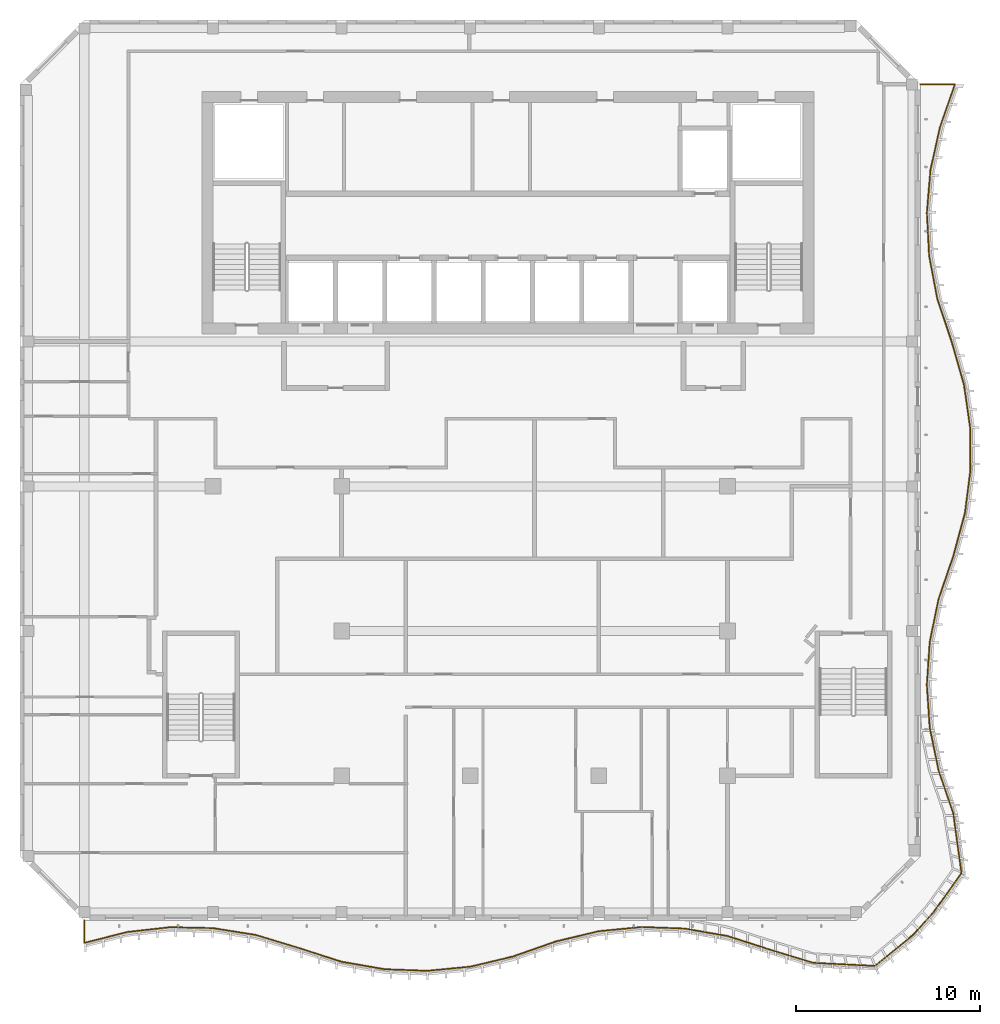
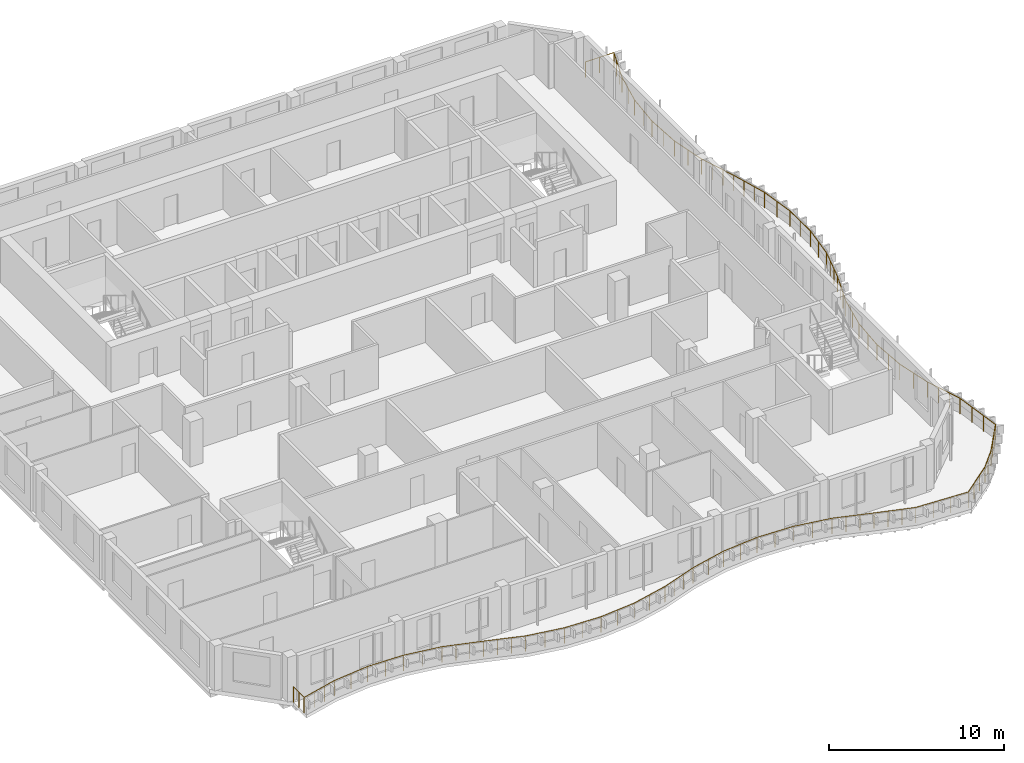
# One storey, part 13 of 17: 1 railing.
"""IFC4 building model written with IfcOpenShell, lengths in metres."""

from ifc_helpers import new_model, si_unit, direction, frame, origin, origin_2d, place, context, subcontext, project, spatial, circle, extrude, material, type_object, element, save


model = new_model("IFC4")

# Units and contexts
model_context = context("Model", 3, precision=1e-05, world=origin(), true_north=direction((0.0, 1.0)))
body_context = subcontext(model_context, "Body", "Model", "MODEL_VIEW")
ifc_project = project(units=[si_unit("LENGTHUNIT", "METRE"), si_unit("AREAUNIT", "SQUARE_METRE"), si_unit("VOLUMEUNIT", "CUBIC_METRE"), si_unit("PLANEANGLEUNIT", "RADIAN"), si_unit("MASSUNIT", "GRAM", prefix="KILO")], contexts=[model_context])

# Site, building, storey
site_placement = place(None, origin())
site = spatial("IfcSite", under=ifc_project, at=site_placement, CompositionType="ELEMENT")
building_placement = place(site_placement, origin())
building = spatial("IfcBuilding", under=site, at=building_placement, Name="Kilnfold Tower and Market Hall", CompositionType="ELEMENT")
storey_placement = place(building_placement, frame((0.0, 0.0, 308.60009765625)))
storey = spatial("IfcBuildingStorey", under=building, at=storey_placement, Name="L77", CompositionType="ELEMENT", Elevation=308.60009765625)

# Railing
ifc_material = material(Name="Stainless steel and laminated glass", Category="steel")
railing_type = type_object("IfcRailingType", Name="GUARD 1100", PredefinedType="GUARDRAIL", material=ifc_material)
railing_placement = place(storey_placement, frame((-22.0, -23.5, 0.0)))
element("IfcRailing", 1, at=railing_placement, inside=storey, type_object=railing_type, Name="Guard balcony L77", PredefinedType="GUARDRAIL", context=body_context, shape_type="SweptSolid", body=[
    extrude(circle(Radius=0.02490234375, at=origin_2d()), frame((0.0, 0.0, 1.0751953125), z_axis=(0.0, -1.0, 0.0), x_axis=(1.0, 0.0, 0.0)), (0.0, 0.0, 1.0), 1.22314453125),
    extrude(circle(Radius=0.02490234375, at=origin_2d()), frame((0.0, -1.22314453125, 1.0751953125), z_axis=(0.969210795342, 0.246232479972, 0.0), x_axis=(-0.246232479972, 0.969210795342, 0.0)), (0.0, 0.0, 1.0), 2.407470703125),
    extrude(circle(Radius=0.02490234375, at=origin_2d()), frame((2.333251953125, -0.63037109375, 1.0751953125), z_axis=(0.993711376548, 0.111971871997, 0.0), x_axis=(-0.111971871997, 0.993711376548, 0.0)), (0.0, 0.0, 1.0), 2.34814453125),
    extrude(circle(Radius=0.02490234375, at=origin_2d()), frame((4.666748046875, -0.367431640625, 1.0751953125), z_axis=(0.999751729978, -0.022281795384, 0.0), x_axis=(0.022281795384, 0.999751729978, 0.0)), (0.0, 0.0, 1.0), 2.333740234375),
    extrude(circle(Radius=0.02490234375, at=origin_2d()), frame((7.0, -0.41943359375, 1.0751953125), z_axis=(0.987667255848, -0.156567530879, 0.0), x_axis=(0.156567530879, 0.987667255848, 0.0)), (0.0, 0.0, 1.0), 2.3623046875),
    extrude(circle(Radius=0.02490234375, at=origin_2d()), frame((9.333251953125, -0.789306640625, 1.0751953125), z_axis=(0.956784132843, -0.290799111311, 0.0), x_axis=(0.290799111311, 0.956784132843, 0.0)), (0.0, 0.0, 1.0), 2.43896484375),
    extrude(circle(Radius=0.02490234375, at=origin_2d()), frame((11.666748046875, -1.49853515625, 1.0751953125), z_axis=(0.952112486546, -0.305747956598, 0.0), x_axis=(0.305747956598, 0.952112486546, 0.0)), (0.0, 0.0, 1.0), 2.45068359375),
    extrude(circle(Radius=0.02490234375, at=origin_2d()), frame((14.0, -2.247802734375, 1.0751953125), z_axis=(0.985126142804, -0.171832717386, 0.0), x_axis=(0.171832717386, 0.985126142804, 0.0)), (0.0, 0.0, 1.0), 2.368408203125),
    extrude(circle(Radius=0.02490234375, at=origin_2d()), frame((16.333251953125, -2.65478515625, 1.0751953125), z_axis=(0.999295362698, -0.03753369274, 0.0), x_axis=(0.03753369274, 0.999295362698, 0.0)), (0.0, 0.0, 1.0), 2.335205078125),
    extrude(circle(Radius=0.02490234375, at=origin_2d()), frame((18.666748046875, -2.742431640625, 1.0751953125), z_axis=(0.99531871754, 0.0966470409, 0.0), x_axis=(-0.0966470409, 0.99531871754, 0.0)), (0.0, 0.0, 1.0), 2.34423828125),
    extrude(circle(Radius=0.02490234375, at=origin_2d()), frame((21.0, -2.515869140625, 1.0751953125), z_axis=(0.972954571885, 0.23099653904, 0.0), x_axis=(-0.23099653904, 0.972954571885, 0.0)), (0.0, 0.0, 1.0), 2.398193359375),
    extrude(circle(Radius=0.02490234375, at=origin_2d()), frame((23.333251953125, -1.9619140625, 1.0751953125), z_axis=(0.943466814234, 0.33146699751, 0.0), x_axis=(-0.33146699751, 0.943466814234, 0.0)), (0.0, 0.0, 1.0), 2.473388671875),
    extrude(circle(Radius=0.02490234375, at=origin_2d()), frame((25.666748046875, -1.14208984375, 1.0751953125), z_axis=(0.972794199694, 0.231670984462, 0.0), x_axis=(-0.231670984462, 0.972794199694, 0.0)), (0.0, 0.0, 1.0), 2.3984375),
    extrude(circle(Radius=0.02490234375, at=origin_2d()), frame((28.0, -0.58642578125, 1.0751953125), z_axis=(0.995238235947, 0.097472322784, 0.0), x_axis=(-0.097472322784, 0.995238235947, 0.0)), (0.0, 0.0, 1.0), 2.344482421875),
    extrude(circle(Radius=0.02490234375, at=origin_2d()), frame((30.333251953125, -0.35791015625, 1.0751953125), z_axis=(0.999322546045, -0.036802839109, 0.0), x_axis=(0.036802839109, 0.999322546045, 0.0)), (0.0, 0.0, 1.0), 2.3349609375),
    extrude(circle(Radius=0.02490234375, at=origin_2d()), frame((32.666748046875, -0.44384765625, 1.0751953125), z_axis=(0.985248051256, -0.171132339132, 0.0), x_axis=(0.171132339132, 0.985248051256, 0.0)), (0.0, 0.0, 1.0), 2.3681640625),
    extrude(circle(Radius=0.02490234375, at=origin_2d()), frame((35.0, -0.84912109375, 1.0751953125), z_axis=(0.952344279723, -0.305025200401, 0.0), x_axis=(0.305025200401, 0.952344279723, 0.0)), (0.0, 0.0, 1.0), 2.449951171875),
    extrude(circle(Radius=0.02490234375, at=origin_2d()), frame((37.333251953125, -1.596435546875, 1.0751953125), z_axis=(0.956561089295, -0.291531957849, 0.0), x_axis=(0.291531957849, 0.956561089295, 0.0)), (0.0, 0.0, 1.0), 2.439453125),
    extrude(circle(Radius=0.02490234375, at=origin_2d()), frame((39.666748046875, -2.3076171875, 1.0751953125), z_axis=(0.998755414778, -0.049876060911, 0.0), x_axis=(0.049876060911, 0.998755414778, 0.0)), (0.0, 0.0, 1.0), 3.36279296875),
    extrude(circle(Radius=0.02490234375, at=origin_2d()), frame((43.025390625, -2.475341796875, 1.0751953125), z_axis=(0.775544431889, 0.631292985995, 0.0), x_axis=(-0.631292985995, 0.775544431889, 0.0)), (0.0, 0.0, 1.0), 2.689208984375),
    extrude(circle(Radius=0.02490234375, at=origin_2d()), frame((45.111083984375, -0.777587890625, 1.0751953125), z_axis=(0.669274920108, 0.743014859417, 0.0), x_axis=(-0.743014859417, 0.669274920108, 0.0)), (0.0, 0.0, 1.0), 1.652099609375),
    extrude(circle(Radius=0.02490234375, at=origin_2d()), frame((46.216796875, 0.449951171875, 1.0751953125), z_axis=(0.581255884594, 0.813720834577, 0.0), x_axis=(-0.813720834577, 0.581255884594, 0.0)), (0.0, 0.0, 1.0), 2.61083984375),
    extrude(circle(Radius=0.02490234375, at=origin_2d()), frame((47.734375, 2.574462890625, 1.0751953125), z_axis=(-0.136484199421, 0.990642247892, 0.0), x_axis=(-0.990642247892, -0.136484199421, 0.0)), (0.0, 0.0, 1.0), 3.28955078125),
    extrude(circle(Radius=0.02490234375, at=origin_2d()), frame((47.285400390625, 5.833251953125, 1.0751953125), z_axis=(-0.324675962181, 0.945825311346, 0.0), x_axis=(-0.945825311346, -0.324675962181, 0.0)), (0.0, 0.0, 1.0), 2.467041015625),
    extrude(circle(Radius=0.02490234375, at=origin_2d()), frame((46.484375, 8.166748046875, 1.0751953125), z_axis=(-0.200903789477, 0.979610977569, 0.0), x_axis=(-0.979610977569, -0.200903789477, 0.0)), (0.0, 0.0, 1.0), 2.3818359375),
    extrude(circle(Radius=0.02490234375, at=origin_2d()), frame((46.005859375, 10.5, 1.0751953125), z_axis=(-0.066609092458, 0.99777914831, 0.0), x_axis=(-0.99777914831, -0.066609092458, 0.0)), (0.0, 0.0, 1.0), 2.33837890625),
    extrude(circle(Radius=0.02490234375, at=origin_2d()), frame((45.85009765625, 12.833251953125, 1.0751953125), z_axis=(0.067641335737, 0.997709702118, 0.0), x_axis=(-0.997709702118, 0.067641335737, 0.0)), (0.0, 0.0, 1.0), 2.3388671875),
    extrude(circle(Radius=0.02490234375, at=origin_2d()), frame((46.00830078125, 15.166748046875, 1.0751953125), z_axis=(0.201887132384, 0.979408794007, 0.0), x_axis=(-0.979408794007, 0.201887132384, 0.0)), (0.0, 0.0, 1.0), 2.38232421875),
    extrude(circle(Radius=0.02490234375, at=origin_2d()), frame((46.4892578125, 17.5, 1.0751953125), z_axis=(0.325148902844, 0.945662831552, 0.0), x_axis=(-0.945662831552, 0.325148902844, 0.0)), (0.0, 0.0, 1.0), 2.46728515625),
    extrude(circle(Radius=0.02490234375, at=origin_2d()), frame((47.29150390625, 19.833251953125, 1.0751953125), z_axis=(0.260791998998, 0.965395014105, 0.0), x_axis=(-0.965395014105, 0.260791998998, 0.0)), (0.0, 0.0, 1.0), 2.417236328125),
    extrude(circle(Radius=0.02490234375, at=origin_2d()), frame((47.921875, 22.166748046875, 1.0751953125), z_axis=(0.12652541005, 0.991963366567, 0.0), x_axis=(-0.991963366567, 0.12652541005, 0.0)), (0.0, 0.0, 1.0), 2.35205078125),
    extrude(circle(Radius=0.02490234375, at=origin_2d()), frame((48.219482421875, 24.5, 1.0751953125), z_axis=(-0.007742783488, 0.999970024203, 0.0), x_axis=(-0.999970024203, -0.007742783488, 0.0)), (0.0, 0.0, 1.0), 2.333251953125),
    extrude(circle(Radius=0.02490234375, at=origin_2d()), frame((48.201416015625, 26.833251953125, 1.0751953125), z_axis=(-0.142088269079, 0.989853991147, 0.0), x_axis=(-0.989853991147, -0.142088269079, 0.0)), (0.0, 0.0, 1.0), 2.357421875),
    extrude(circle(Radius=0.02490234375, at=origin_2d()), frame((47.866455078125, 29.166748046875, 1.0751953125), z_axis=(-0.276248209535, 0.961086326366, 0.0), x_axis=(-0.961086326366, -0.276248209535, 0.0)), (0.0, 0.0, 1.0), 2.427734375),
    extrude(circle(Radius=0.02490234375, at=origin_2d()), frame((47.19580078125, 31.5, 1.0751953125), z_axis=(-0.31688269402, 0.948464737473, 0.0), x_axis=(-0.948464737473, -0.31688269402, 0.0)), (0.0, 0.0, 1.0), 2.4599609375),
    extrude(circle(Radius=0.02490234375, at=origin_2d()), frame((46.416259765625, 33.833251953125, 1.0751953125), z_axis=(-0.186361022834, 0.982481332733, 0.0), x_axis=(-0.982481332733, -0.186361022834, 0.0)), (0.0, 0.0, 1.0), 2.375),
    extrude(circle(Radius=0.02490234375, at=origin_2d()), frame((45.9736328125, 36.166748046875, 1.0751953125), z_axis=(-0.052037801365, 0.998645115759, 0.0), x_axis=(-0.998645115759, -0.052037801365, 0.0)), (0.0, 0.0, 1.0), 2.33642578125),
    extrude(circle(Radius=0.02490234375, at=origin_2d()), frame((45.85205078125, 38.5, 1.0751953125), z_axis=(0.082070220192, 0.996626549394, 0.0), x_axis=(-0.996626549394, 0.082070220192, 0.0)), (0.0, 0.0, 1.0), 2.341064453125),
    extrude(circle(Radius=0.02490234375, at=origin_2d()), frame((46.044189453125, 40.833251953125, 1.0751953125), z_axis=(0.216443743375, 0.976295091637, 0.0), x_axis=(-0.976295091637, 0.216443743375, 0.0)), (0.0, 0.0, 1.0), 2.39013671875),
    extrude(circle(Radius=0.02490234375, at=origin_2d()), frame((46.5615234375, 43.166748046875, 1.0751953125), z_axis=(0.329914803276, 0.944010711051, 0.0), x_axis=(-0.944010711051, 0.329914803276, 0.0)), (0.0, 0.0, 1.0), 2.4716796875),
    extrude(circle(Radius=0.02490234375, at=origin_2d()), frame((47.376953125, 45.5, 1.0751953125), z_axis=(-1.0, 0.0, 0.0), x_axis=(0.0, -1.0, 0.0)), (0.0, 0.0, 1.0), 1.876953125),
    extrude(circle(Radius=0.02490234375, at=origin_2d()), origin(), (0.0, 0.0, 1.0), 1.050048828125),
    extrude(circle(Radius=0.02490234375, at=origin_2d()), frame((0.0, -0.611572265625, 0.0)), (0.0, 0.0, 1.0), 1.050048828125),
    extrude(circle(Radius=0.02490234375, at=origin_2d()), frame((0.0, -1.22314453125, 0.0)), (0.0, 0.0, 1.0), 1.050048828125),
    extrude(circle(Radius=0.02490234375, at=origin_2d()), frame((0.77783203125, -1.025634765625, 0.0)), (0.0, 0.0, 1.0), 1.050048828125),
    extrude(circle(Radius=0.02490234375, at=origin_2d()), frame((1.555419921875, -0.827880859375, 0.0)), (0.0, 0.0, 1.0), 1.050048828125),
    extrude(circle(Radius=0.02490234375, at=origin_2d()), frame((2.333251953125, -0.63037109375, 0.0)), (0.0, 0.0, 1.0), 1.050048828125),
    extrude(circle(Radius=0.02490234375, at=origin_2d()), frame((3.5, -0.4990234375, 0.0)), (0.0, 0.0, 1.0), 1.050048828125),
    extrude(circle(Radius=0.02490234375, at=origin_2d()), frame((4.666748046875, -0.367431640625, 0.0)), (0.0, 0.0, 1.0), 1.050048828125),
    extrude(circle(Radius=0.02490234375, at=origin_2d()), frame((5.83349609375, -0.3935546875, 0.0)), (0.0, 0.0, 1.0), 1.050048828125),
    extrude(circle(Radius=0.02490234375, at=origin_2d()), frame((7.0, -0.41943359375, 0.0)), (0.0, 0.0, 1.0), 1.050048828125),
    extrude(circle(Radius=0.02490234375, at=origin_2d()), frame((8.16650390625, -0.6044921875, 0.0)), (0.0, 0.0, 1.0), 1.050048828125),
    extrude(circle(Radius=0.02490234375, at=origin_2d()), frame((9.333251953125, -0.789306640625, 0.0)), (0.0, 0.0, 1.0), 1.050048828125),
    extrude(circle(Radius=0.02490234375, at=origin_2d()), frame((10.111083984375, -1.025634765625, 0.0)), (0.0, 0.0, 1.0), 1.050048828125),
    extrude(circle(Radius=0.02490234375, at=origin_2d()), frame((10.888916015625, -1.26220703125, 0.0)), (0.0, 0.0, 1.0), 1.050048828125),
    extrude(circle(Radius=0.02490234375, at=origin_2d()), frame((11.666748046875, -1.49853515625, 0.0)), (0.0, 0.0, 1.0), 1.050048828125),
    extrude(circle(Radius=0.02490234375, at=origin_2d()), frame((12.444580078125, -1.748291015625, 0.0)), (0.0, 0.0, 1.0), 1.050048828125),
    extrude(circle(Radius=0.02490234375, at=origin_2d()), frame((13.22216796875, -1.998046875, 0.0)), (0.0, 0.0, 1.0), 1.050048828125),
    extrude(circle(Radius=0.02490234375, at=origin_2d()), frame((14.0, -2.247802734375, 0.0)), (0.0, 0.0, 1.0), 1.050048828125),
    extrude(circle(Radius=0.02490234375, at=origin_2d()), frame((15.16650390625, -2.451171875, 0.0)), (0.0, 0.0, 1.0), 1.050048828125),
    extrude(circle(Radius=0.02490234375, at=origin_2d()), frame((16.333251953125, -2.65478515625, 0.0)), (0.0, 0.0, 1.0), 1.050048828125),
    extrude(circle(Radius=0.02490234375, at=origin_2d()), frame((17.5, -2.69873046875, 0.0)), (0.0, 0.0, 1.0), 1.050048828125),
    extrude(circle(Radius=0.02490234375, at=origin_2d()), frame((18.666748046875, -2.742431640625, 0.0)), (0.0, 0.0, 1.0), 1.050048828125),
    extrude(circle(Radius=0.02490234375, at=origin_2d()), frame((19.83349609375, -2.629150390625, 0.0)), (0.0, 0.0, 1.0), 1.050048828125),
    extrude(circle(Radius=0.02490234375, at=origin_2d()), frame((21.0, -2.515869140625, 0.0)), (0.0, 0.0, 1.0), 1.050048828125),
    extrude(circle(Radius=0.02490234375, at=origin_2d()), frame((22.16650390625, -2.23876953125, 0.0)), (0.0, 0.0, 1.0), 1.050048828125),
    extrude(circle(Radius=0.02490234375, at=origin_2d()), frame((23.333251953125, -1.9619140625, 0.0)), (0.0, 0.0, 1.0), 1.050048828125),
    extrude(circle(Radius=0.02490234375, at=origin_2d()), frame((24.111083984375, -1.688720703125, 0.0)), (0.0, 0.0, 1.0), 1.050048828125),
    extrude(circle(Radius=0.02490234375, at=origin_2d()), frame((24.888916015625, -1.415283203125, 0.0)), (0.0, 0.0, 1.0), 1.050048828125),
    extrude(circle(Radius=0.02490234375, at=origin_2d()), frame((25.666748046875, -1.14208984375, 0.0)), (0.0, 0.0, 1.0), 1.050048828125),
    extrude(circle(Radius=0.02490234375, at=origin_2d()), frame((26.83349609375, -0.8642578125, 0.0)), (0.0, 0.0, 1.0), 1.050048828125),
    extrude(circle(Radius=0.02490234375, at=origin_2d()), frame((28.0, -0.58642578125, 0.0)), (0.0, 0.0, 1.0), 1.050048828125),
    extrude(circle(Radius=0.02490234375, at=origin_2d()), frame((29.16650390625, -0.47216796875, 0.0)), (0.0, 0.0, 1.0), 1.050048828125),
    extrude(circle(Radius=0.02490234375, at=origin_2d()), frame((30.333251953125, -0.35791015625, 0.0)), (0.0, 0.0, 1.0), 1.050048828125),
    extrude(circle(Radius=0.02490234375, at=origin_2d()), frame((31.5, -0.40087890625, 0.0)), (0.0, 0.0, 1.0), 1.050048828125),
    extrude(circle(Radius=0.02490234375, at=origin_2d()), frame((32.666748046875, -0.44384765625, 0.0)), (0.0, 0.0, 1.0), 1.050048828125),
    extrude(circle(Radius=0.02490234375, at=origin_2d()), frame((33.83349609375, -0.646484375, 0.0)), (0.0, 0.0, 1.0), 1.050048828125),
    extrude(circle(Radius=0.02490234375, at=origin_2d()), frame((35.0, -0.84912109375, 0.0)), (0.0, 0.0, 1.0), 1.050048828125),
    extrude(circle(Radius=0.02490234375, at=origin_2d()), frame((35.77783203125, -1.09814453125, 0.0)), (0.0, 0.0, 1.0), 1.050048828125),
    extrude(circle(Radius=0.02490234375, at=origin_2d()), frame((36.555419921875, -1.347412109375, 0.0)), (0.0, 0.0, 1.0), 1.050048828125),
    extrude(circle(Radius=0.02490234375, at=origin_2d()), frame((37.333251953125, -1.596435546875, 0.0)), (0.0, 0.0, 1.0), 1.050048828125),
    extrude(circle(Radius=0.02490234375, at=origin_2d()), frame((38.111083984375, -1.83349609375, 0.0)), (0.0, 0.0, 1.0), 1.050048828125),
    extrude(circle(Radius=0.02490234375, at=origin_2d()), frame((38.888916015625, -2.070556640625, 0.0)), (0.0, 0.0, 1.0), 1.050048828125),
    extrude(circle(Radius=0.02490234375, at=origin_2d()), frame((39.666748046875, -2.3076171875, 0.0)), (0.0, 0.0, 1.0), 1.050048828125),
    extrude(circle(Radius=0.02490234375, at=origin_2d()), frame((40.786376953125, -2.363525390625, 0.0)), (0.0, 0.0, 1.0), 1.050048828125),
    extrude(circle(Radius=0.02490234375, at=origin_2d()), frame((41.90576171875, -2.41943359375, 0.0)), (0.0, 0.0, 1.0), 1.050048828125),
    extrude(circle(Radius=0.02490234375, at=origin_2d()), frame((43.025390625, -2.475341796875, 0.0)), (0.0, 0.0, 1.0), 1.050048828125),
    extrude(circle(Radius=0.02490234375, at=origin_2d()), frame((43.720703125, -1.909423828125, 0.0)), (0.0, 0.0, 1.0), 1.050048828125),
    extrude(circle(Radius=0.02490234375, at=origin_2d()), frame((44.415771484375, -1.343505859375, 0.0)), (0.0, 0.0, 1.0), 1.050048828125),
    extrude(circle(Radius=0.02490234375, at=origin_2d()), frame((45.111083984375, -0.777587890625, 0.0)), (0.0, 0.0, 1.0), 1.050048828125),
    extrude(circle(Radius=0.02490234375, at=origin_2d()), frame((45.6640625, -0.163818359375, 0.0)), (0.0, 0.0, 1.0), 1.050048828125),
    extrude(circle(Radius=0.02490234375, at=origin_2d()), frame((46.216796875, 0.449951171875, 0.0)), (0.0, 0.0, 1.0), 1.050048828125),
    extrude(circle(Radius=0.02490234375, at=origin_2d()), frame((46.72265625, 1.158203125, 0.0)), (0.0, 0.0, 1.0), 1.050048828125),
    extrude(circle(Radius=0.02490234375, at=origin_2d()), frame((47.228515625, 1.8662109375, 0.0)), (0.0, 0.0, 1.0), 1.050048828125),
    extrude(circle(Radius=0.02490234375, at=origin_2d()), frame((47.734375, 2.574462890625, 0.0)), (0.0, 0.0, 1.0), 1.050048828125),
    extrude(circle(Radius=0.02490234375, at=origin_2d()), frame((47.584716796875, 3.66064453125, 0.0)), (0.0, 0.0, 1.0), 1.050048828125),
    extrude(circle(Radius=0.02490234375, at=origin_2d()), frame((47.43505859375, 4.7470703125, 0.0)), (0.0, 0.0, 1.0), 1.050048828125),
    extrude(circle(Radius=0.02490234375, at=origin_2d()), frame((47.285400390625, 5.833251953125, 0.0)), (0.0, 0.0, 1.0), 1.050048828125),
    extrude(circle(Radius=0.02490234375, at=origin_2d()), frame((47.018310546875, 6.611083984375, 0.0)), (0.0, 0.0, 1.0), 1.050048828125),
    extrude(circle(Radius=0.02490234375, at=origin_2d()), frame((46.75146484375, 7.388916015625, 0.0)), (0.0, 0.0, 1.0), 1.050048828125),
    extrude(circle(Radius=0.02490234375, at=origin_2d()), frame((46.484375, 8.166748046875, 0.0)), (0.0, 0.0, 1.0), 1.050048828125),
    extrude(circle(Radius=0.02490234375, at=origin_2d()), frame((46.2451171875, 9.33349609375, 0.0)), (0.0, 0.0, 1.0), 1.050048828125),
    extrude(circle(Radius=0.02490234375, at=origin_2d()), frame((46.005859375, 10.5, 0.0)), (0.0, 0.0, 1.0), 1.050048828125),
    extrude(circle(Radius=0.02490234375, at=origin_2d()), frame((45.927978515625, 11.66650390625, 0.0)), (0.0, 0.0, 1.0), 1.050048828125),
    extrude(circle(Radius=0.02490234375, at=origin_2d()), frame((45.85009765625, 12.833251953125, 0.0)), (0.0, 0.0, 1.0), 1.050048828125),
    extrude(circle(Radius=0.02490234375, at=origin_2d()), frame((45.92919921875, 14.0, 0.0)), (0.0, 0.0, 1.0), 1.050048828125),
    extrude(circle(Radius=0.02490234375, at=origin_2d()), frame((46.00830078125, 15.166748046875, 0.0)), (0.0, 0.0, 1.0), 1.050048828125),
    extrude(circle(Radius=0.02490234375, at=origin_2d()), frame((46.248779296875, 16.33349609375, 0.0)), (0.0, 0.0, 1.0), 1.050048828125),
    extrude(circle(Radius=0.02490234375, at=origin_2d()), frame((46.4892578125, 17.5, 0.0)), (0.0, 0.0, 1.0), 1.050048828125),
    extrude(circle(Radius=0.02490234375, at=origin_2d()), frame((46.756591796875, 18.27783203125, 0.0)), (0.0, 0.0, 1.0), 1.050048828125),
    extrude(circle(Radius=0.02490234375, at=origin_2d()), frame((47.024169921875, 19.055419921875, 0.0)), (0.0, 0.0, 1.0), 1.050048828125),
    extrude(circle(Radius=0.02490234375, at=origin_2d()), frame((47.29150390625, 19.833251953125, 0.0)), (0.0, 0.0, 1.0), 1.050048828125),
    extrude(circle(Radius=0.02490234375, at=origin_2d()), frame((47.501708984375, 20.611083984375, 0.0)), (0.0, 0.0, 1.0), 1.050048828125),
    extrude(circle(Radius=0.02490234375, at=origin_2d()), frame((47.711669921875, 21.388916015625, 0.0)), (0.0, 0.0, 1.0), 1.050048828125),
    extrude(circle(Radius=0.02490234375, at=origin_2d()), frame((47.921875, 22.166748046875, 0.0)), (0.0, 0.0, 1.0), 1.050048828125),
    extrude(circle(Radius=0.02490234375, at=origin_2d()), frame((48.07080078125, 23.33349609375, 0.0)), (0.0, 0.0, 1.0), 1.050048828125),
    extrude(circle(Radius=0.02490234375, at=origin_2d()), frame((48.219482421875, 24.5, 0.0)), (0.0, 0.0, 1.0), 1.050048828125),
    extrude(circle(Radius=0.02490234375, at=origin_2d()), frame((48.21044921875, 25.66650390625, 0.0)), (0.0, 0.0, 1.0), 1.050048828125),
    extrude(circle(Radius=0.02490234375, at=origin_2d()), frame((48.201416015625, 26.833251953125, 0.0)), (0.0, 0.0, 1.0), 1.050048828125),
    extrude(circle(Radius=0.02490234375, at=origin_2d()), frame((48.033935546875, 28.0, 0.0)), (0.0, 0.0, 1.0), 1.050048828125),
    extrude(circle(Radius=0.02490234375, at=origin_2d()), frame((47.866455078125, 29.166748046875, 0.0)), (0.0, 0.0, 1.0), 1.050048828125),
    extrude(circle(Radius=0.02490234375, at=origin_2d()), frame((47.642822265625, 29.944580078125, 0.0)), (0.0, 0.0, 1.0), 1.050048828125),
    extrude(circle(Radius=0.02490234375, at=origin_2d()), frame((47.41943359375, 30.72216796875, 0.0)), (0.0, 0.0, 1.0), 1.050048828125),
    extrude(circle(Radius=0.02490234375, at=origin_2d()), frame((47.19580078125, 31.5, 0.0)), (0.0, 0.0, 1.0), 1.050048828125),
    extrude(circle(Radius=0.02490234375, at=origin_2d()), frame((46.93603515625, 32.27783203125, 0.0)), (0.0, 0.0, 1.0), 1.050048828125),
    extrude(circle(Radius=0.02490234375, at=origin_2d()), frame((46.676025390625, 33.055419921875, 0.0)), (0.0, 0.0, 1.0), 1.050048828125),
    extrude(circle(Radius=0.02490234375, at=origin_2d()), frame((46.416259765625, 33.833251953125, 0.0)), (0.0, 0.0, 1.0), 1.050048828125),
    extrude(circle(Radius=0.02490234375, at=origin_2d()), frame((46.19482421875, 35.0, 0.0)), (0.0, 0.0, 1.0), 1.050048828125),
    extrude(circle(Radius=0.02490234375, at=origin_2d()), frame((45.9736328125, 36.166748046875, 0.0)), (0.0, 0.0, 1.0), 1.050048828125),
    extrude(circle(Radius=0.02490234375, at=origin_2d()), frame((45.912841796875, 37.33349609375, 0.0)), (0.0, 0.0, 1.0), 1.050048828125),
    extrude(circle(Radius=0.02490234375, at=origin_2d()), frame((45.85205078125, 38.5, 0.0)), (0.0, 0.0, 1.0), 1.050048828125),
    extrude(circle(Radius=0.02490234375, at=origin_2d()), frame((45.9482421875, 39.66650390625, 0.0)), (0.0, 0.0, 1.0), 1.050048828125),
    extrude(circle(Radius=0.02490234375, at=origin_2d()), frame((46.044189453125, 40.833251953125, 0.0)), (0.0, 0.0, 1.0), 1.050048828125),
    extrude(circle(Radius=0.02490234375, at=origin_2d()), frame((46.302734375, 42.0, 0.0)), (0.0, 0.0, 1.0), 1.050048828125),
    extrude(circle(Radius=0.02490234375, at=origin_2d()), frame((46.5615234375, 43.166748046875, 0.0)), (0.0, 0.0, 1.0), 1.050048828125),
    extrude(circle(Radius=0.02490234375, at=origin_2d()), frame((46.833251953125, 43.944580078125, 0.0)), (0.0, 0.0, 1.0), 1.050048828125),
    extrude(circle(Radius=0.02490234375, at=origin_2d()), frame((47.105224609375, 44.72216796875, 0.0)), (0.0, 0.0, 1.0), 1.050048828125),
    extrude(circle(Radius=0.02490234375, at=origin_2d()), frame((47.376953125, 45.5, 0.0)), (0.0, 0.0, 1.0), 1.050048828125),
    extrude(circle(Radius=0.02490234375, at=origin_2d()), frame((46.4384765625, 45.5, 0.0)), (0.0, 0.0, 1.0), 1.050048828125),
    extrude(circle(Radius=0.02490234375, at=origin_2d()), frame((45.5, 45.5, 0.0)), (0.0, 0.0, 1.0), 1.050048828125),
])

save(model, "model.ifc")
